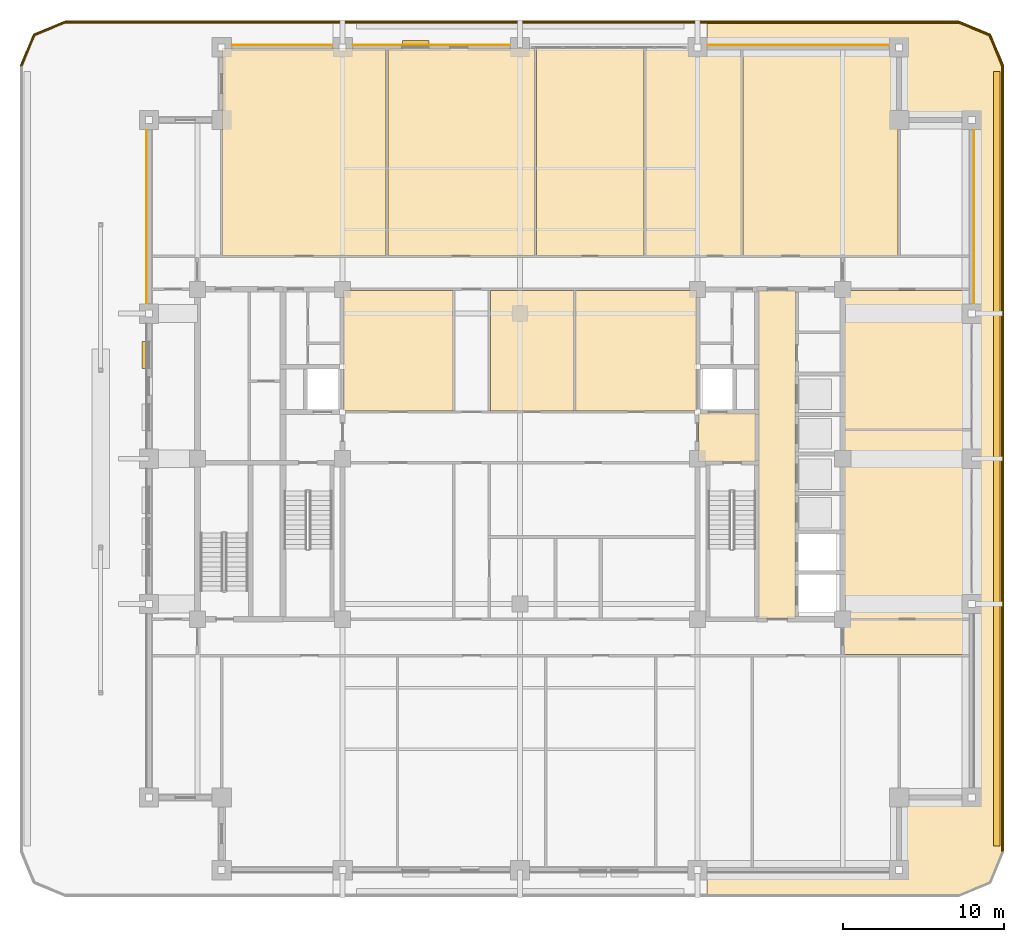
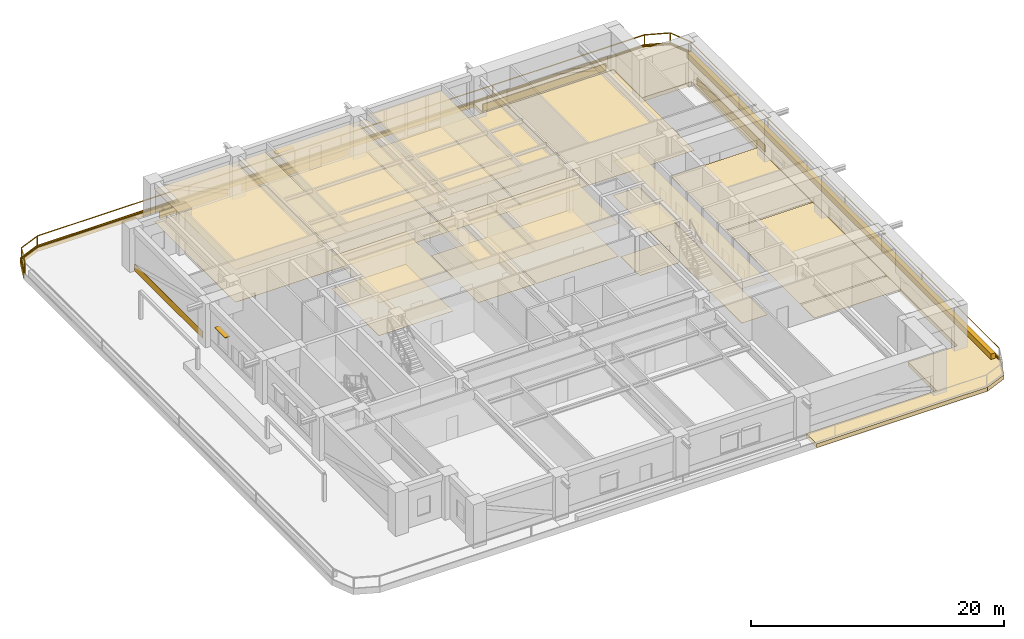
# One storey, part 20 of 21: 34 coverings, 2 railings, 2 shading devices.
"""IFC4 building model written with IfcOpenShell, lengths in metres."""

from ifc_helpers import new_model, si_unit, direction, frame, frame_2d, origin, origin_2d, place, context, subcontext, project, spatial, polyline, rectangle, outline, extrude, material, layer, layer_set, type_object, element, save


model = new_model("IFC4")

# Units and contexts
model_context = context("Model", 3, precision=1e-05, world=origin(), true_north=direction((0.0, 1.0)))
body_context = subcontext(model_context, "Body", "Model", "MODEL_VIEW")
ifc_project = project(units=[si_unit("LENGTHUNIT", "METRE"), si_unit("AREAUNIT", "SQUARE_METRE"), si_unit("VOLUMEUNIT", "CUBIC_METRE"), si_unit("PLANEANGLEUNIT", "RADIAN"), si_unit("MASSUNIT", "GRAM", prefix="KILO")], contexts=[model_context])

# Site, building, storey
site_placement = place(None, origin())
site = spatial("IfcSite", under=ifc_project, at=site_placement, CompositionType="ELEMENT")
building_placement = place(site_placement, origin())
building = spatial("IfcBuilding", under=site, at=building_placement, Name="Zulmaris Gate Convention Tower", CompositionType="ELEMENT")
storey_placement = place(building_placement, frame((0.0, 0.0, 86.93994140625)))
storey = spatial("IfcBuildingStorey", under=building, at=storey_placement, Name="L21", CompositionType="ELEMENT", Elevation=86.93994140625)

# Coverings
ifc_material_1 = material(Name="Precast concrete C40/50", Category="concrete")
ifc_layer_1 = layer(ifc_material_1, 0.0400390625, Name="Precast concrete C40/50")
ifc_layer_set_1 = layer_set([ifc_layer_1], Name="Precast concrete C40/50")
covering_type_1 = type_object("IfcCoveringType", Name="CLAD-SPANDREL-PRECAST", PredefinedType="CLADDING", material=ifc_layer_set_1)
covering_1_placement = place(storey_placement, frame((-11.6298828125, 25.64990234375, 0.0), z_axis=(0.0, 0.0, 1.0), x_axis=(-1.0, 0.0, 0.0)))
element("IfcCovering", 1, at=covering_1_placement, inside=storey, type_object=covering_type_1, Name="CLD-L21-N-0_0", PredefinedType="CLADDING", context=body_context, shape_type="SweptSolid", body=[
    extrude(rectangle(XDim=6.240234375, YDim=0.0400390625, at=frame_2d((3.1201171875, 0.0))), origin(), (0.0, 0.0, 1.0), 0.679931640625),
])
covering_2_placement = place(storey_placement, frame((-0.6298828125, 25.64990234375, 0.0), z_axis=(0.0, 0.0, 1.0), x_axis=(-1.0, 0.0, 0.0)))
element("IfcCovering", 2, at=covering_2_placement, inside=storey, type_object=covering_type_1, Name="CLD-L21-N-1_0", PredefinedType="CLADDING", context=body_context, shape_type="SweptSolid", body=[
    extrude(rectangle(XDim=9.740234375, YDim=0.0400390625, at=frame_2d((4.8701171875, 0.0))), origin(), (0.0, 0.0, 1.0), 0.679931640625),
])
covering_3_placement = place(storey_placement, frame((22.8701171875, 25.64990234375, 0.0), z_axis=(0.0, 0.0, 1.0), x_axis=(-1.0, 0.0, 0.0)))
element("IfcCovering", 3, at=covering_3_placement, inside=storey, type_object=covering_type_1, Name="CLD-L21-N-3_0", PredefinedType="CLADDING", context=body_context, shape_type="SweptSolid", body=[
    extrude(rectangle(XDim=11.240234375, YDim=0.0400390625, at=frame_2d((5.6201171875, 0.0))), origin(), (0.0, 0.0, 1.0), 0.679931640625),
])
for number, where, z_axis, x_axis, name in (
    (4, (28.14990234375, 9.6298828125, 0.0), (0.0, 0.0, 1.0), (0.0, 1.0, 0.0), "CLD-L21-E-3_0"),
    (5, (-23.14990234375, 20.3701171875, 0.0), (0.0, 0.0, 1.0), (0.0, -1.0, 0.0), "CLD-L21-W-3_0"),
):
    element("IfcCovering", number, at=place(storey_placement, frame(where, z_axis=z_axis, x_axis=x_axis)), inside=storey, type_object=covering_type_1, Name=name, PredefinedType="CLADDING", context=body_context, shape_type="SweptSolid", body=[
        extrude(rectangle(XDim=10.740234375, YDim=0.0400390625, at=frame_2d((5.3701171875, 0.0))), origin(), (0.0, 0.0, 1.0), 0.679931640625),
    ])
ifc_material_2 = material(Name="White Glazed Architectural Precast Concrete C40/50", Category="concrete")
ifc_layer_2 = layer(ifc_material_2, 0.239990234375, Name="White Glazed Architectural Precast Concrete C40/50")
ifc_layer_set_2 = layer_set([ifc_layer_2], Name="White Glazed Architectural Precast Concrete C40/50")
covering_type_2 = type_object("IfcCoveringType", Name="CLAD-TRAY-DECK", PredefinedType="CLADDING", material=ifc_layer_set_2)
covering_4_placement = place(storey_placement, frame((0.0, 0.0, -0.425048828125)))
element("IfcCovering", 6, at=covering_4_placement, inside=storey, type_object=covering_type_2, Name="L21 East Rounded-Fascia Planter Tray Deck", PredefinedType="CLADDING", context=body_context, shape_type="SweptSolid", body=[
    extrude(outline(polyline([(27.199951171875, 27.14990234375), (29.179931640625, 26.329833984375), (30.0, 24.35009765625), (30.0, -24.35009765625), (29.179931640625, -26.329833984375), (27.199951171875, -27.14990234375), (11.60205078125, -27.14990234375), (11.60205078125, -25.5), (23.5, -25.5), (23.5, -21.0), (28.0, -21.0), (28.0, 21.0), (23.5, 21.0), (23.5, 25.5), (11.60205078125, 25.5), (11.60205078125, 27.14990234375), (27.199951171875, 27.14990234375)])), origin(), (0.0, 0.0, 1.0), 0.385009765625),
])
ifc_layer_3 = layer(ifc_material_2, 0.080078125, Name="White Glazed Architectural Precast Concrete C40/50")
ifc_layer_set_3 = layer_set([ifc_layer_3], Name="White Glazed Architectural Precast Concrete C40/50")
covering_type_3 = type_object("IfcCoveringType", Name="CLAD-TRAY-FASCIA", PredefinedType="CLADDING", material=ifc_layer_set_3)
covering_5_placement = place(storey_placement, frame((29.9599609375, -24.35009765625, -0.465087890625), z_axis=(0.0, 0.0, 1.0), x_axis=(0.0, 1.0, 0.0)))
element("IfcCovering", 7, at=covering_5_placement, inside=storey, type_object=covering_type_3, Name="FSC-L21-TR-05", PredefinedType="CLADDING", context=body_context, shape_type="SweptSolid", body=[
    extrude(rectangle(XDim=48.7001953125, YDim=0.080078125, at=frame_2d((24.35009765625, 0.0))), origin(), (0.0, 0.0, 1.0), 0.5849609375),
])
covering_6_placement = place(storey_placement, frame((29.962890625, 24.334716796875, -0.465087890625), z_axis=(0.0, 0.0, 1.0), x_axis=(-0.382656984709, 0.923890487046, 0.0)))
element("IfcCovering", 8, at=covering_6_placement, inside=storey, type_object=covering_type_3, Name="FSC-L21-TR-06", PredefinedType="CLADDING", context=body_context, shape_type="SweptSolid", body=[
    extrude(rectangle(XDim=2.14306640625, YDim=0.080078125, at=frame_2d((1.071533203125, 0.0))), origin(), (0.0, 0.0, 1.0), 0.5849609375),
])
covering_7_placement = place(storey_placement, frame((29.16455078125, 26.29296875, -0.465087890625), z_axis=(0.0, 0.0, 1.0), x_axis=(-0.923873803533, 0.382697263049, 0.0)))
element("IfcCovering", 9, at=covering_7_placement, inside=storey, type_object=covering_type_3, Name="FSC-L21-TR-07", PredefinedType="CLADDING", context=body_context, shape_type="SweptSolid", body=[
    extrude(rectangle(XDim=2.142822265625, YDim=0.080078125, at=frame_2d((1.0712890625, 0.0))), origin(), (0.0, 0.0, 1.0), 0.5849609375),
])
covering_8_placement = place(storey_placement, frame((27.199951171875, 27.110107421875, -0.465087890625), z_axis=(0.0, 0.0, 1.0), x_axis=(-1.0, 0.0, 0.0)))
element("IfcCovering", 10, at=covering_8_placement, inside=storey, type_object=covering_type_3, Name="FSC-L21-TR-08", PredefinedType="CLADDING", context=body_context, shape_type="SweptSolid", body=[
    extrude(rectangle(XDim=55.39990234375, YDim=0.080078125, at=frame_2d((27.699951171875, 0.0))), origin(), (0.0, 0.0, 1.0), 0.5849609375),
])
covering_9_placement = place(storey_placement, frame((-28.184814453125, 27.113037109375, -0.465087890625), z_axis=(0.0, 0.0, 1.0), x_axis=(-0.923873803533, -0.382697263049, 0.0)))
element("IfcCovering", 11, at=covering_9_placement, inside=storey, type_object=covering_type_3, Name="FSC-L21-TR-09", PredefinedType="CLADDING", context=body_context, shape_type="SweptSolid", body=[
    extrude(rectangle(XDim=2.142822265625, YDim=0.080078125, at=frame_2d((1.0712890625, 0.0))), origin(), (0.0, 0.0, 1.0), 0.5849609375),
])
covering_10_placement = place(storey_placement, frame((-30.142822265625, 26.314697265625, -0.465087890625), z_axis=(0.0, 0.0, 1.0), x_axis=(-0.382656984709, -0.923890487046, 0.0)))
element("IfcCovering", 12, at=covering_10_placement, inside=storey, type_object=covering_type_3, Name="FSC-L21-TR-10", PredefinedType="CLADDING", context=body_context, shape_type="SweptSolid", body=[
    extrude(rectangle(XDim=2.14306640625, YDim=0.080078125, at=frame_2d((1.071533203125, 0.0))), origin(), (0.0, 0.0, 1.0), 0.5849609375),
])
ifc_material_3 = material(Name="Mineral Fibre Acoustic Ceiling Tile")
ifc_layer_4 = layer(ifc_material_3, 0.02001953125, Name="Mineral Fibre Acoustic Ceiling Tile")
ifc_layer_set_4 = layer_set([ifc_layer_4], Name="Mineral Fibre Acoustic Ceiling Tile")
covering_type_4 = type_object("IfcCoveringType", Name="CLG-ACOUSTIC-600", PredefinedType="CEILING", material=ifc_layer_set_4)
covering_11_placement = place(storey_placement, frame((0.0, 0.0, 3.889892578125)))
element("IfcCovering", 13, at=covering_11_placement, inside=storey, type_object=covering_type_4, Name="CLG-L21-R08", PredefinedType="CEILING", context=body_context, shape_type="SweptSolid", body=[
    extrude(outline(polyline([(11.06005859375, -0.18994140625), (14.639892578125, -0.18994140625), (14.639892578125, 2.840087890625), (11.06005859375, 2.840087890625), (11.06005859375, -0.18994140625)])), origin(), (0.0, 0.0, 1.0), 0.02001953125),
])
covering_12_placement = place(storey_placement, frame((0.0, 0.0, 3.327880859375)))
element("IfcCovering", 14, at=covering_12_placement, inside=storey, type_object=covering_type_4, Name="CLG-L21-R28", PredefinedType="CEILING", context=body_context, shape_type="SweptSolid", body=[
    extrude(outline(polyline([(14.760009765625, -9.889892578125), (17.090087890625, -9.889892578125), (17.090087890625, 10.43994140625), (14.760009765625, 10.43994140625), (14.760009765625, -9.889892578125)])), origin(), (0.0, 0.0, 1.0), 0.02001953125),
])
covering_13_placement = place(storey_placement, frame((0.0, 0.0, 3.153076171875)))
element("IfcCovering", 15, at=covering_13_placement, inside=storey, type_object=covering_type_4, Name="CLG-L21-R39", PredefinedType="CEILING", context=body_context, shape_type="SweptSolid", body=[
    extrude(outline(polyline([(-18.43994140625, 12.610107421875), (-8.31005859375, 12.610107421875), (-8.31005859375, 25.43994140625), (-18.43994140625, 25.43994140625), (-18.43994140625, 12.610107421875)])), origin(), (0.0, 0.0, 1.0), 0.019775390625),
])
covering_14_placement = place(storey_placement, frame((0.0, 0.0, 3.153076171875)))
element("IfcCovering", 16, at=covering_14_placement, inside=storey, type_object=covering_type_4, Name="CLG-L21-R40", PredefinedType="CEILING", context=body_context, shape_type="SweptSolid", body=[
    extrude(outline(polyline([(-8.18994140625, 12.610107421875), (0.889892578125, 12.610107421875), (0.889892578125, 25.43994140625), (-8.18994140625, 25.43994140625), (-8.18994140625, 12.610107421875)])), origin(), (0.0, 0.0, 1.0), 0.019775390625),
])
covering_15_placement = place(storey_placement, frame((0.0, 0.0, 3.530029296875)))
element("IfcCovering", 17, at=covering_15_placement, inside=storey, type_object=covering_type_4, Name="CLG-L21-R41", PredefinedType="CEILING", context=body_context, shape_type="SweptSolid", body=[
    extrude(outline(polyline([(1.010009765625, 12.610107421875), (7.68994140625, 12.610107421875), (7.68994140625, 25.43994140625), (1.010009765625, 25.43994140625), (1.010009765625, 12.610107421875)])), origin(), (0.0, 0.0, 1.0), 0.02001953125),
])
covering_16_placement = place(storey_placement, frame((0.0, 0.0, 3.153076171875)))
element("IfcCovering", 18, at=covering_16_placement, inside=storey, type_object=covering_type_4, Name="CLG-L21-R49", PredefinedType="CEILING", context=body_context, shape_type="SweptSolid", body=[
    extrude(outline(polyline([(-10.93994140625, 2.9599609375), (-4.159912109375, 2.9599609375), (-4.159912109375, 10.43994140625), (-10.93994140625, 10.43994140625), (-10.93994140625, 2.9599609375)])), origin(), (0.0, 0.0, 1.0), 0.019775390625),
])
covering_17_placement = place(storey_placement, frame((0.0, 0.0, 3.153076171875)))
element("IfcCovering", 19, at=covering_17_placement, inside=storey, type_object=covering_type_4, Name="CLG-L21-R50", PredefinedType="CEILING", context=body_context, shape_type="SweptSolid", body=[
    extrude(outline(polyline([(-1.840087890625, 2.9599609375), (3.330078125, 2.9599609375), (3.330078125, 10.43994140625), (-1.840087890625, 10.43994140625), (-1.840087890625, 2.9599609375)])), origin(), (0.0, 0.0, 1.0), 0.019775390625),
])
covering_18_placement = place(storey_placement, frame((0.0, 0.0, 3.153076171875)))
element("IfcCovering", 20, at=covering_18_placement, inside=storey, type_object=covering_type_4, Name="CLG-L21-R51", PredefinedType="CEILING", context=body_context, shape_type="SweptSolid", body=[
    extrude(outline(polyline([(3.449951171875, 2.9599609375), (10.93994140625, 2.9599609375), (10.93994140625, 10.43994140625), (3.449951171875, 10.43994140625), (3.449951171875, 2.9599609375)])), origin(), (0.0, 0.0, 1.0), 0.019775390625),
])
ifc_material_4 = material(Name="Woven Acoustic Wool Carpet Tile")
ifc_layer_5 = layer(ifc_material_4, 0.02001953125, Name="Woven Acoustic Wool Carpet Tile")
ifc_layer_set_5 = layer_set([ifc_layer_5], Name="Woven Acoustic Wool Carpet Tile")
covering_type_5 = type_object("IfcCoveringType", Name="FLR-CARPET-12", PredefinedType="FLOORING", material=ifc_layer_set_5)
covering_19_placement = place(storey_placement, origin())
element("IfcCovering", 21, at=covering_19_placement, inside=storey, type_object=covering_type_5, Name="FLR-L21-R08", PredefinedType="FLOORING", context=body_context, shape_type="SweptSolid", body=[
    extrude(outline(polyline([(11.06005859375, -0.18994140625), (14.639892578125, -0.18994140625), (14.639892578125, 2.840087890625), (11.06005859375, 2.840087890625), (11.06005859375, -0.18994140625)])), origin(), (0.0, 0.0, 1.0), 0.02001953125),
])
covering_20_placement = place(storey_placement, origin())
element("IfcCovering", 22, at=covering_20_placement, inside=storey, type_object=covering_type_5, Name="FLR-L21-R28", PredefinedType="FLOORING", context=body_context, shape_type="SweptSolid", body=[
    extrude(outline(polyline([(14.760009765625, -9.889892578125), (17.090087890625, -9.889892578125), (17.090087890625, 10.43994140625), (14.760009765625, 10.43994140625), (14.760009765625, -9.889892578125)])), origin(), (0.0, 0.0, 1.0), 0.02001953125),
])
covering_21_placement = place(storey_placement, origin())
element("IfcCovering", 23, at=covering_21_placement, inside=storey, type_object=covering_type_5, Name="FLR-L21-R40", PredefinedType="FLOORING", context=body_context, shape_type="SweptSolid", body=[
    extrude(outline(polyline([(-8.18994140625, 12.610107421875), (0.889892578125, 12.610107421875), (0.889892578125, 25.43994140625), (-8.18994140625, 25.43994140625), (-8.18994140625, 12.610107421875)])), origin(), (0.0, 0.0, 1.0), 0.02001953125),
])
covering_22_placement = place(storey_placement, origin())
element("IfcCovering", 24, at=covering_22_placement, inside=storey, type_object=covering_type_5, Name="FLR-L21-R42", PredefinedType="FLOORING", context=body_context, shape_type="SweptSolid", body=[
    extrude(outline(polyline([(7.81005859375, 12.610107421875), (13.68994140625, 12.610107421875), (13.68994140625, 25.43994140625), (7.81005859375, 25.43994140625), (7.81005859375, 12.610107421875)])), origin(), (0.0, 0.0, 1.0), 0.02001953125),
])
covering_23_placement = place(storey_placement, origin())
element("IfcCovering", 25, at=covering_23_placement, inside=storey, type_object=covering_type_5, Name="FLR-L21-R51", PredefinedType="FLOORING", context=body_context, shape_type="SweptSolid", body=[
    extrude(outline(polyline([(3.449951171875, 2.9599609375), (10.93994140625, 2.9599609375), (10.93994140625, 10.43994140625), (3.449951171875, 10.43994140625), (3.449951171875, 2.9599609375)])), origin(), (0.0, 0.0, 1.0), 0.02001953125),
])
covering_24_placement = place(storey_placement, origin())
element("IfcCovering", 26, at=covering_24_placement, inside=storey, type_object=covering_type_5, Name="FLR-L21-R61", PredefinedType="FLOORING", context=body_context, shape_type="SweptSolid", body=[
    extrude(outline(polyline([(20.06005859375, -12.139892578125), (27.93994140625, -12.139892578125), (27.93994140625, -10.010009765625), (20.06005859375, -10.010009765625), (20.06005859375, -12.139892578125)])), origin(), (0.0, 0.0, 1.0), 0.02001953125),
])
covering_25_placement = place(storey_placement, origin())
element("IfcCovering", 27, at=covering_25_placement, inside=storey, type_object=covering_type_5, Name="FLR-L21-R62", PredefinedType="FLOORING", context=body_context, shape_type="SweptSolid", body=[
    extrude(outline(polyline([(20.06005859375, 1.860107421875), (27.93994140625, 1.860107421875), (27.93994140625, 10.43994140625), (20.06005859375, 10.43994140625), (20.06005859375, 1.860107421875)])), origin(), (0.0, 0.0, 1.0), 0.02001953125),
])
covering_26_placement = place(storey_placement, origin())
element("IfcCovering", 28, at=covering_26_placement, inside=storey, type_object=covering_type_5, Name="FLR-L21-R63", PredefinedType="FLOORING", context=body_context, shape_type="SweptSolid", body=[
    extrude(outline(polyline([(20.06005859375, -9.889892578125), (27.93994140625, -9.889892578125), (27.93994140625, 1.739990234375), (20.06005859375, 1.739990234375), (20.06005859375, -9.889892578125)])), origin(), (0.0, 0.0, 1.0), 0.02001953125),
])
ifc_material_5 = material(Name="Polished Granite Terrazzo Tile", Category="masonry")
ifc_layer_6 = layer(ifc_material_5, 0.02001953125, Name="Polished Granite Terrazzo Tile")
ifc_layer_set_6 = layer_set([ifc_layer_6], Name="Polished Granite Terrazzo Tile")
covering_type_6 = type_object("IfcCoveringType", Name="FLR-TERRAZZO-30", PredefinedType="FLOORING", material=ifc_layer_set_6)
covering_27_placement = place(storey_placement, origin())
element("IfcCovering", 29, at=covering_27_placement, inside=storey, type_object=covering_type_6, Name="FLR-L21-R39", PredefinedType="FLOORING", context=body_context, shape_type="SweptSolid", body=[
    extrude(outline(polyline([(-18.43994140625, 12.610107421875), (-8.31005859375, 12.610107421875), (-8.31005859375, 25.43994140625), (-18.43994140625, 25.43994140625), (-18.43994140625, 12.610107421875)])), origin(), (0.0, 0.0, 1.0), 0.02001953125),
])
covering_28_placement = place(storey_placement, origin())
element("IfcCovering", 30, at=covering_28_placement, inside=storey, type_object=covering_type_6, Name="FLR-L21-R43", PredefinedType="FLOORING", context=body_context, shape_type="SweptSolid", body=[
    extrude(outline(polyline([(13.81005859375, 12.610107421875), (23.43994140625, 12.610107421875), (23.43994140625, 25.43994140625), (13.81005859375, 25.43994140625), (13.81005859375, 12.610107421875)])), origin(), (0.0, 0.0, 1.0), 0.02001953125),
])
covering_29_placement = place(storey_placement, origin())
element("IfcCovering", 31, at=covering_29_placement, inside=storey, type_object=covering_type_6, Name="FLR-L21-R49", PredefinedType="FLOORING", context=body_context, shape_type="SweptSolid", body=[
    extrude(outline(polyline([(-10.93994140625, 2.9599609375), (-4.159912109375, 2.9599609375), (-4.159912109375, 10.43994140625), (-10.93994140625, 10.43994140625), (-10.93994140625, 2.9599609375)])), origin(), (0.0, 0.0, 1.0), 0.02001953125),
])
ifc_material_6 = material(Name="Engineered Teak Parquet Flooring")
ifc_layer_7 = layer(ifc_material_6, 0.02001953125, Name="Engineered Teak Parquet Flooring")
ifc_layer_set_7 = layer_set([ifc_layer_7], Name="Engineered Teak Parquet Flooring")
covering_type_7 = type_object("IfcCoveringType", Name="FLR-TIMBER-18", PredefinedType="FLOORING", material=ifc_layer_set_7)
covering_30_placement = place(storey_placement, origin())
element("IfcCovering", 32, at=covering_30_placement, inside=storey, type_object=covering_type_7, Name="FLR-L21-R41", PredefinedType="FLOORING", context=body_context, shape_type="SweptSolid", body=[
    extrude(outline(polyline([(1.010009765625, 12.610107421875), (7.68994140625, 12.610107421875), (7.68994140625, 25.43994140625), (1.010009765625, 25.43994140625), (1.010009765625, 12.610107421875)])), origin(), (0.0, 0.0, 1.0), 0.02001953125),
])
covering_31_placement = place(storey_placement, origin())
element("IfcCovering", 33, at=covering_31_placement, inside=storey, type_object=covering_type_7, Name="FLR-L21-R50", PredefinedType="FLOORING", context=body_context, shape_type="SweptSolid", body=[
    extrude(outline(polyline([(-1.840087890625, 2.9599609375), (3.330078125, 2.9599609375), (3.330078125, 10.43994140625), (-1.840087890625, 10.43994140625), (-1.840087890625, 2.9599609375)])), origin(), (0.0, 0.0, 1.0), 0.02001953125),
])
ifc_material_7 = material(Name="Botanical Green Glazed Precast Concrete C40/50", Category="concrete")
ifc_layer_8 = layer(ifc_material_7, 0.419921875, Name="Botanical Green Glazed Precast Concrete C40/50")
ifc_layer_set_8 = layer_set([ifc_layer_8], Name="Botanical Green Glazed Precast Concrete C40/50")
covering_type_8 = type_object("IfcCoveringType", Name="PLANTER-BOX-200", PredefinedType="CLADDING", material=ifc_layer_set_8)
covering_32_placement = place(storey_placement, frame((0.0, 0.0, -0.0400390625)))
element("IfcCovering", 34, at=covering_32_placement, inside=storey, type_object=covering_type_8, Name="L21 E Full-Length Balcony Tree Planter Trough", PredefinedType="CLADDING", context=body_context, shape_type="SweptSolid", body=[
    extrude(outline(polyline([(29.340087890625, -24.0), (29.760009765625, -24.0), (29.760009765625, 24.0), (29.340087890625, 24.0), (29.340087890625, -24.0)])), origin(), (0.0, 0.0, 1.0), 0.52001953125),
])

# Railings
ifc_material_8 = material(Name="Laminated Glass and Stainless Steel", Category="steel")
railing_type = type_object("IfcRailingType", Name="RL-BALC-1150", PredefinedType="BALUSTRADE", material=ifc_material_8)
railing_1_placement = place(storey_placement, frame((29.8798828125, -24.35009765625, -0.0400390625)))
element("IfcRailing", 35, at=railing_1_placement, inside=storey, type_object=railing_type, Name="RL-L21-BALC-E", PredefinedType="BALUSTRADE", context=body_context, shape_type="SweptSolid", body=[
    extrude(rectangle(XDim=0.048095703125, YDim=0.048095703125, at=origin_2d()), frame((0.0, 0.0, 1.1259765625), z_axis=(0.0, 1.0, 0.0), x_axis=(-1.0, 0.0, 0.0)), (0.0, 0.0, 1.0), 48.7001953125),
    extrude(rectangle(XDim=0.048095703125, YDim=0.048095703125, at=origin_2d()), frame((0.0, 0.0, 0.02392578125), z_axis=(0.0, 1.0, 0.0), x_axis=(-1.0, 0.0, 0.0)), (0.0, 0.0, 1.0), 48.7001953125),
    extrude(rectangle(XDim=0.0419921875, YDim=0.0419921875, at=origin_2d()), origin(), (0.0, 0.0, 1.0), 1.101806640625),
    extrude(rectangle(XDim=0.0419921875, YDim=0.0419921875, at=origin_2d()), frame((0.0, 12.175048828125, 0.0)), (0.0, 0.0, 1.0), 1.101806640625),
    extrude(rectangle(XDim=0.0419921875, YDim=0.0419921875, at=origin_2d()), frame((0.0, 24.35009765625, 0.0)), (0.0, 0.0, 1.0), 1.101806640625),
    extrude(rectangle(XDim=0.0419921875, YDim=0.0419921875, at=origin_2d()), frame((0.0, 36.525146484375, 0.0)), (0.0, 0.0, 1.0), 1.101806640625),
    extrude(rectangle(XDim=0.0419921875, YDim=0.0419921875, at=origin_2d()), frame((0.0, 48.7001953125, 0.0)), (0.0, 0.0, 1.0), 1.101806640625),
])
railing_2_placement = place(storey_placement, frame((29.8798828125, 24.35009765625, -0.0400390625)))
element("IfcRailing", 36, at=railing_2_placement, inside=storey, type_object=railing_type, Name="RL-L21-BALC-N", PredefinedType="BALUSTRADE", context=body_context, shape_type="SweptSolid", body=[
    extrude(rectangle(XDim=0.048095703125, YDim=0.048095703125, at=origin_2d()), frame((0.0, 0.0, 1.1259765625), z_axis=(-0.382670664694, 0.92388482095, 0.0), x_axis=(-0.92388482095, -0.382670664694, 0.0)), (0.0, 0.0, 1.0), 2.051025390625),
    extrude(rectangle(XDim=0.048095703125, YDim=0.048095703125, at=origin_2d()), frame((0.0, 0.0, 0.02392578125), z_axis=(-0.382670664694, 0.92388482095, 0.0), x_axis=(-0.92388482095, -0.382670664694, 0.0)), (0.0, 0.0, 1.0), 2.051025390625),
    extrude(rectangle(XDim=0.048095703125, YDim=0.048095703125, at=origin_2d()), frame((-0.784912109375, 1.89501953125, 1.1259765625), z_axis=(-0.92388482095, 0.382670664694, 0.0), x_axis=(-0.382670664694, -0.92388482095, 0.0)), (0.0, 0.0, 1.0), 2.051025390625),
    extrude(rectangle(XDim=0.048095703125, YDim=0.048095703125, at=origin_2d()), frame((-0.784912109375, 1.89501953125, 0.02392578125), z_axis=(-0.92388482095, 0.382670664694, 0.0), x_axis=(-0.382670664694, -0.92388482095, 0.0)), (0.0, 0.0, 1.0), 2.051025390625),
    extrude(rectangle(XDim=0.048095703125, YDim=0.048095703125, at=origin_2d()), frame((-2.679931640625, 2.679931640625, 1.1259765625), z_axis=(-1.0, 0.0, 0.0), x_axis=(0.0, -1.0, 0.0)), (0.0, 0.0, 1.0), 55.39990234375),
    extrude(rectangle(XDim=0.048095703125, YDim=0.048095703125, at=origin_2d()), frame((-2.679931640625, 2.679931640625, 0.02392578125), z_axis=(-1.0, 0.0, 0.0), x_axis=(0.0, -1.0, 0.0)), (0.0, 0.0, 1.0), 55.39990234375),
    extrude(rectangle(XDim=0.048095703125, YDim=0.048095703125, at=origin_2d()), frame((-58.079833984375, 2.679931640625, 1.1259765625), z_axis=(-0.92388482095, -0.382670664694, 0.0), x_axis=(0.382670664694, -0.92388482095, 0.0)), (0.0, 0.0, 1.0), 2.051025390625),
    extrude(rectangle(XDim=0.048095703125, YDim=0.048095703125, at=origin_2d()), frame((-58.079833984375, 2.679931640625, 0.02392578125), z_axis=(-0.92388482095, -0.382670664694, 0.0), x_axis=(0.382670664694, -0.92388482095, 0.0)), (0.0, 0.0, 1.0), 2.051025390625),
    extrude(rectangle(XDim=0.048095703125, YDim=0.048095703125, at=origin_2d()), frame((-59.974853515625, 1.89501953125, 1.1259765625), z_axis=(-0.382670664694, -0.92388482095, 0.0), x_axis=(0.92388482095, -0.382670664694, 0.0)), (0.0, 0.0, 1.0), 2.051025390625),
    extrude(rectangle(XDim=0.048095703125, YDim=0.048095703125, at=origin_2d()), frame((-59.974853515625, 1.89501953125, 0.02392578125), z_axis=(-0.382670664694, -0.92388482095, 0.0), x_axis=(0.92388482095, -0.382670664694, 0.0)), (0.0, 0.0, 1.0), 2.051025390625),
    extrude(rectangle(XDim=0.0419921875, YDim=0.0419921875, at=origin_2d()), origin(), (0.0, 0.0, 1.0), 1.101806640625),
    extrude(rectangle(XDim=0.0419921875, YDim=0.0419921875, at=origin_2d()), frame((-0.784912109375, 1.89501953125, 0.0)), (0.0, 0.0, 1.0), 1.101806640625),
    extrude(rectangle(XDim=0.0419921875, YDim=0.0419921875, at=origin_2d()), frame((-2.679931640625, 2.679931640625, 0.0)), (0.0, 0.0, 1.0), 1.101806640625),
    extrude(rectangle(XDim=0.0419921875, YDim=0.0419921875, at=origin_2d()), frame((-16.52978515625, 2.679931640625, 0.0)), (0.0, 0.0, 1.0), 1.101806640625),
    extrude(rectangle(XDim=0.0419921875, YDim=0.0419921875, at=origin_2d()), frame((-30.3798828125, 2.679931640625, 0.0)), (0.0, 0.0, 1.0), 1.101806640625),
    extrude(rectangle(XDim=0.0419921875, YDim=0.0419921875, at=origin_2d()), frame((-44.22998046875, 2.679931640625, 0.0)), (0.0, 0.0, 1.0), 1.101806640625),
    extrude(rectangle(XDim=0.0419921875, YDim=0.0419921875, at=origin_2d()), frame((-58.079833984375, 2.679931640625, 0.0)), (0.0, 0.0, 1.0), 1.101806640625),
    extrude(rectangle(XDim=0.0419921875, YDim=0.0419921875, at=origin_2d()), frame((-59.974853515625, 1.89501953125, 0.0)), (0.0, 0.0, 1.0), 1.101806640625),
    extrude(rectangle(XDim=0.0419921875, YDim=0.0419921875, at=origin_2d()), frame((-60.759765625, 0.0, 0.0)), (0.0, 0.0, 1.0), 1.101806640625),
])

# Shading devices
ifc_material_9 = material(Name="Glazed Ceramic Terracotta", Category="masonry")
ifc_layer_9 = layer(ifc_material_9, 0.070068359375, Name="Glazed Ceramic Terracotta")
ifc_layer_set_9 = layer_set([ifc_layer_9], Name="Glazed Ceramic Terracotta")
shading_device_type = type_object("IfcShadingDeviceType", Name="SHD-SUNSHADE-TC", PredefinedType="AWNING", material=ifc_layer_set_9)
shading_device_1_placement = place(storey_placement, frame((-5.64892578125, 25.719970703125, 2.530029296875), z_axis=(0.0, 0.0, 1.0), x_axis=(-1.0, 0.0, 0.0)))
element("IfcShadingDevice", 37, at=shading_device_1_placement, inside=storey, type_object=shading_device_type, Name="SHD-EW-L21-N-1_0-3", PredefinedType="AWNING", context=body_context, shape_type="SweptSolid", body=[
    extrude(rectangle(XDim=1.650146484375, YDim=0.43994140625, at=frame_2d((0.8251953125, 0.0))), origin(), (0.0, 0.0, 1.0), 0.06982421875),
])
shading_device_2_placement = place(storey_placement, frame((-23.219970703125, 7.260009765625, 2.530029296875), z_axis=(0.0, 0.0, 1.0), x_axis=(0.0, -1.0, 0.0)))
element("IfcShadingDevice", 38, at=shading_device_2_placement, inside=storey, type_object=shading_device_type, Name="SHD-EW-L21-W-2_0-1", PredefinedType="AWNING", context=body_context, shape_type="SweptSolid", body=[
    extrude(rectangle(XDim=1.64990234375, YDim=0.43994140625, at=frame_2d((0.824951171875, 0.0))), origin(), (0.0, 0.0, 1.0), 0.06982421875),
])

save(model, "model.ifc")
